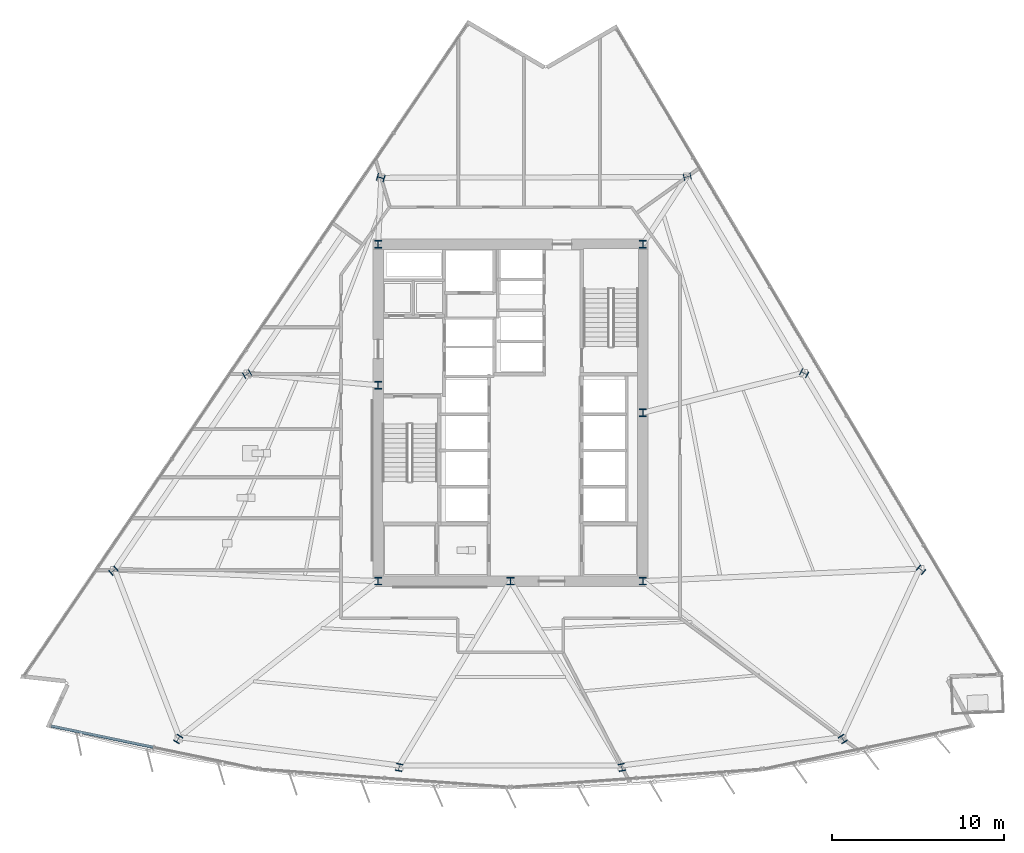
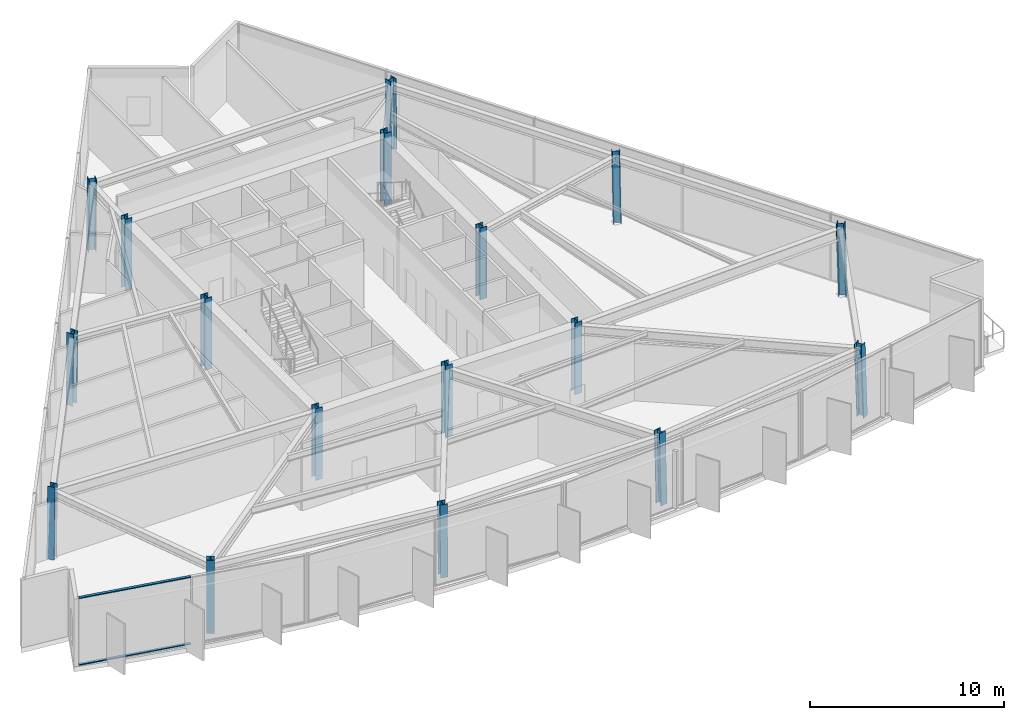
# One storey, part 1 of 14: 17 columns, 2 members, 1 element without a shape of its own.
"""IFC4 building model written with IfcOpenShell, lengths in metres."""

from ifc_helpers import new_model, si_unit, direction, frame, origin, origin_2d, place, context, subcontext, project, spatial, rectangle, i_section, extrude, material, material_profile, profile_set, type_object, element, aggregate, save


model = new_model("IFC4")

# Units and contexts
model_context = context("Model", 3, precision=1e-05, world=origin(), true_north=direction((0.0, 1.0)))
body_context = subcontext(model_context, "Body", "Model", "MODEL_VIEW")
ifc_project = project(units=[si_unit("LENGTHUNIT", "METRE"), si_unit("AREAUNIT", "SQUARE_METRE"), si_unit("VOLUMEUNIT", "CUBIC_METRE"), si_unit("PLANEANGLEUNIT", "RADIAN"), si_unit("MASSUNIT", "GRAM", prefix="KILO")], contexts=[model_context])

# Site, building, storey
site_placement = place(None, origin())
site = spatial("IfcSite", under=ifc_project, at=site_placement, CompositionType="ELEMENT")
building_placement = place(site_placement, origin())
building = spatial("IfcBuilding", under=site, at=building_placement, Name="Savorim Split Tower", CompositionType="ELEMENT")
storey_placement = place(building_placement, frame((0.0, 0.0, 78.0)))
storey = spatial("IfcBuildingStorey", under=building, at=storey_placement, Name="L20", CompositionType="ELEMENT", Elevation=78.0)

# Columns
ifc_material_1 = material(Name="Steel S460", Category="steel")
ifc_material_profile_1 = material_profile(ifc_material_1, i_section(OverallWidth=0.408935546875, OverallDepth=0.425048828125, WebThickness=0.020751953125, FlangeThickness=0.033935546875, FilletRadius=0.014892578125, at=origin_2d()), Name="HD 400x421")
ifc_profile_set_1 = profile_set([ifc_material_profile_1], Name="Steel S460")
column_type_1 = type_object("IfcColumnType", Name="COL-HD-421", PredefinedType="COLUMN", material=ifc_profile_set_1)
column_1_placement = place(storey_placement, frame((-19.343505859375, -18.6005859375, 0.005615234375), z_axis=(0.016526121628, 0.026800585403, 0.999504185047), x_axis=(-0.851183725565, 0.524867855115, 0.0)))
element("IfcColumn", 1, at=column_1_placement, inside=storey, type_object=column_type_1, Name="L20 Tapered Perimeter Column PC-S1", PredefinedType="COLUMN", context=body_context, shape_type="SweptSolid", body=[
    extrude(i_section(OverallWidth=0.408935546875, OverallDepth=0.425048828125, WebThickness=0.020751953125, FlangeThickness=0.033935546875, FilletRadius=0.014892578125, at=origin_2d()), origin(), (0.0, 0.0, 1.0), 4.490966796875),
])
for number, where, z_axis, x_axis, name in (
    (2, (-6.48291015625, -20.251708984375, 0.005615234375), (0.005491040061, 0.028216334572, 0.999586758087), (-0.981585848295, 0.191021523464, 0.0), "L20 Tapered Perimeter Column PC-S2"),
    (3, (6.48291015625, -20.251708984375, 0.005615234375), (-0.005491040061, 0.028216334572, 0.999586758087), (-0.981585848295, -0.191021523464, 0.0), "L20 Tapered Perimeter Column PC-S3"),
):
    element("IfcColumn", number, at=place(storey_placement, frame(where, z_axis=z_axis, x_axis=x_axis)), inside=storey, type_object=column_type_1, Name=name, PredefinedType="COLUMN", context=body_context, shape_type="SweptSolid", body=[
        extrude(i_section(OverallWidth=0.408935546875, OverallDepth=0.425048828125, WebThickness=0.020751953125, FlangeThickness=0.033935546875, FilletRadius=0.014892578125, at=origin_2d()), origin(), (0.0, 0.0, 1.0), 4.49072265625),
    ])
column_2_placement = place(storey_placement, frame((19.343505859375, -18.6005859375, 0.005615234375), z_axis=(-0.016526121628, 0.026800585403, 0.999504185047), x_axis=(-0.851183725565, -0.524867855115, 0.0)))
element("IfcColumn", 4, at=column_2_placement, inside=storey, type_object=column_type_1, Name="L20 Tapered Perimeter Column PC-S4", PredefinedType="COLUMN", context=body_context, shape_type="SweptSolid", body=[
    extrude(i_section(OverallWidth=0.408935546875, OverallDepth=0.425048828125, WebThickness=0.020751953125, FlangeThickness=0.033935546875, FilletRadius=0.014892578125, at=origin_2d()), origin(), (0.0, 0.0, 1.0), 4.490966796875),
])
column_3_placement = place(storey_placement, frame((23.896240234375, -8.754638671875, 0.005615234375), z_axis=(-0.020877781541, 0.017289412838, 0.999632529704), x_axis=(-0.637813971185, -0.770190455771, 0.0)))
element("IfcColumn", 5, at=column_3_placement, inside=storey, type_object=column_type_1, Name="L20 Tapered Perimeter Column PC-E1", PredefinedType="COLUMN", context=body_context, shape_type="SweptSolid", body=[
    extrude(i_section(OverallWidth=0.408935546875, OverallDepth=0.425048828125, WebThickness=0.020751953125, FlangeThickness=0.033935546875, FilletRadius=0.014892578125, at=origin_2d()), origin(), (0.0, 0.0, 1.0), 4.490478515625),
])
column_4_placement = place(storey_placement, frame((17.0947265625, 2.683837890625, 0.005615234375), z_axis=(-0.015118033886, 0.00761339836, 0.999856730345), x_axis=(-0.449781931574, -0.893138406984, 0.0)))
element("IfcColumn", 6, at=column_4_placement, inside=storey, type_object=column_type_1, Name="L20 Tapered Perimeter Column PC-E2", PredefinedType="COLUMN", context=body_context, shape_type="SweptSolid", body=[
    extrude(i_section(OverallWidth=0.408935546875, OverallDepth=0.425048828125, WebThickness=0.020751953125, FlangeThickness=0.033935546875, FilletRadius=0.014892578125, at=origin_2d()), origin(), (0.0, 0.0, 1.0), 4.489501953125),
])
column_5_placement = place(storey_placement, frame((10.293212890625, 14.1220703125, 0.005615234375), z_axis=(-0.009354515717, -0.002012308614, 0.999954220777), x_axis=(0.210305364179, -0.977635746993, 0.0)))
element("IfcColumn", 7, at=column_5_placement, inside=storey, type_object=column_type_1, Name="L20 Tapered Perimeter Column PC-E3", PredefinedType="COLUMN", context=body_context, shape_type="SweptSolid", body=[
    extrude(i_section(OverallWidth=0.408935546875, OverallDepth=0.425048828125, WebThickness=0.020751953125, FlangeThickness=0.033935546875, FilletRadius=0.014892578125, at=origin_2d()), origin(), (0.0, 0.0, 1.0), 4.489013671875),
])
column_6_placement = place(storey_placement, frame((-7.54833984375, 14.0732421875, 0.005615234375), z_axis=(0.007070406143, -0.002012346364, 0.999972979544), x_axis=(0.273743828055, 0.961802639112, 0.0)))
element("IfcColumn", 8, at=column_6_placement, inside=storey, type_object=column_type_1, Name="L20 Tapered Perimeter Column PC-W1", PredefinedType="COLUMN", context=body_context, shape_type="SweptSolid", body=[
    extrude(i_section(OverallWidth=0.408935546875, OverallDepth=0.425048828125, WebThickness=0.020751953125, FlangeThickness=0.033935546875, FilletRadius=0.014892578125, at=origin_2d()), origin(), (0.0, 0.0, 1.0), 4.48876953125),
])
column_7_placement = place(storey_placement, frame((-15.32958984375, 2.635009765625, 0.005615234375), z_axis=(0.013595651427, 0.007613564799, 0.999878588576), x_axis=(-0.488603368932, 0.87250601595, 0.0)))
element("IfcColumn", 9, at=column_7_placement, inside=storey, type_object=column_type_1, Name="L20 Tapered Perimeter Column PC-W2", PredefinedType="COLUMN", context=body_context, shape_type="SweptSolid", body=[
    extrude(i_section(OverallWidth=0.408935546875, OverallDepth=0.425048828125, WebThickness=0.020751953125, FlangeThickness=0.033935546875, FilletRadius=0.014892578125, at=origin_2d()), origin(), (0.0, 0.0, 1.0), 4.4892578125),
])
column_8_placement = place(storey_placement, frame((-23.11083984375, -8.803466796875, 0.005615234375), z_axis=(0.020171274264, 0.017289663655, 0.999647031319), x_axis=(-0.650791373456, 0.759256602365, 0.0)))
element("IfcColumn", 10, at=column_8_placement, inside=storey, type_object=column_type_1, Name="L20 Tapered Perimeter Column PC-W3", PredefinedType="COLUMN", context=body_context, shape_type="SweptSolid", body=[
    extrude(i_section(OverallWidth=0.408935546875, OverallDepth=0.425048828125, WebThickness=0.020751953125, FlangeThickness=0.033935546875, FilletRadius=0.014892578125, at=origin_2d()), origin(), (0.0, 0.0, 1.0), 4.490234375),
])
ifc_material_profile_2 = material_profile(ifc_material_1, i_section(OverallWidth=0.416015625, OverallDepth=0.446044921875, WebThickness=0.02490234375, FlangeThickness=0.0400390625, FilletRadius=0.014892578125, at=origin_2d()), Name="HD 400x509")
ifc_profile_set_2 = profile_set([ifc_material_profile_2], Name="Steel S460")
column_type_2 = type_object("IfcColumnType", Name="COL-HD-509", PredefinedType="COLUMN", material=ifc_profile_set_2)
for number, where, z_axis, x_axis, name in (
    (11, (-7.699951171875, -9.39990234375, 0.0), (0.0, 0.0, 1.0), (1.0, 0.0, 0.0), "L20 Core Structural Column TC-C1"),
    (12, (7.699951171875, -9.39990234375, 0.0), (0.0, 0.0, 1.0), (1.0, 0.0, 0.0), "L20 Core Structural Column TC-C2"),
    (13, (7.699951171875, 10.199951171875, 0.0), (0.0, 0.0, 1.0), (1.0, 0.0, 0.0), "L20 Core Structural Column TC-C3"),
    (14, (-7.699951171875, 10.199951171875, 0.0), (0.0, 0.0, 1.0), (1.0, 0.0, 0.0), "L20 Core Structural Column TC-C4"),
    (15, (0.0, -9.39990234375, 0.0), (0.0, 0.0, 1.0), (1.0, 0.0, 0.0), "L20 Core Structural Column TC-C5"),
    (16, (7.699951171875, 0.39990234375, 0.0), (0.0, 0.0, 1.0), (1.0, 0.0, 0.0), "L20 Core Structural Column TC-C6"),
    (17, (-7.699951171875, 2.0, 0.0), (0.0, 0.0, 1.0), (1.0, 0.0, 0.0), "L20 Core Structural Column TC-C7"),
):
    element("IfcColumn", number, at=place(storey_placement, frame(where, z_axis=z_axis, x_axis=x_axis)), inside=storey, type_object=column_type_2, Name=name, PredefinedType="COLUMN", context=body_context, shape_type="SweptSolid", body=[
        extrude(i_section(OverallWidth=0.416015625, OverallDepth=0.446044921875, WebThickness=0.02490234375, FlangeThickness=0.0400390625, FilletRadius=0.014892578125, at=origin_2d()), origin(), (0.0, 0.0, 1.0), 4.5),
    ])

# Curtain wall, members
ifc_material_2 = material(Name="Dark Ceramic-Fritted Insulated Glass", Category="glass")
curtain_wall_type = type_object("IfcCurtainWallType", Name="CW-SKY-ATRIUM", PredefinedType="NOTDEFINED", material=ifc_material_2)
curtain_wall_placement = place(storey_placement, origin())
curtain_wall = element("IfcCurtainWall", 18, at=curtain_wall_placement, inside=storey, type_object=curtain_wall_type, Name="L20 Curtain Wall CW-L20-SF1", PredefinedType="NOTDEFINED")
ifc_material_3 = material(Name="Charcoal Anodised Aluminium", Category="aluminium")
ifc_material_profile_3 = material_profile(ifc_material_3, rectangle(XDim=0.159912109375, YDim=0.06005859375, at=origin_2d()), Name="ALU-T 160x60")
ifc_profile_set_3 = profile_set([ifc_material_profile_3], Name="Charcoal Anodised Aluminium")
member_type = type_object("IfcMemberType", Name="CWT-160x60", PredefinedType="USERDEFINED", material=ifc_profile_set_3)
member_1_placement = place(storey_placement, frame((-26.728515625, -17.82470703125, 0.030029296875), z_axis=(0.979141544758, -0.203179318164, 0.0), x_axis=(0.203179318164, 0.979141544758, 0.0)))
member_1 = element("IfcMember", 19, at=member_1_placement, type_object=member_type, Name="CW-05 transom 1.1", ObjectType="TRANSOM", PredefinedType="USERDEFINED", context=body_context, shape_type="SweptSolid", body=[
    extrude(rectangle(XDim=0.159912109375, YDim=0.06005859375, at=origin_2d()), origin(), (0.0, 0.0, 1.0), 6.064453125),
])
member_2_placement = place(storey_placement, frame((-26.728515625, -17.82470703125, 4.219970703125), z_axis=(0.979141544758, -0.203179318164, 0.0), x_axis=(0.203179318164, 0.979141544758, 0.0)))
member_2 = element("IfcMember", 20, at=member_2_placement, type_object=member_type, Name="CW-05 transom 1.2", ObjectType="TRANSOM", PredefinedType="USERDEFINED", context=body_context, shape_type="SweptSolid", body=[
    extrude(rectangle(XDim=0.159912109375, YDim=0.06005859375, at=origin_2d()), origin(), (0.0, 0.0, 1.0), 6.064453125),
])
aggregate(curtain_wall, [member_1, member_2])

save(model, "model.ifc")
